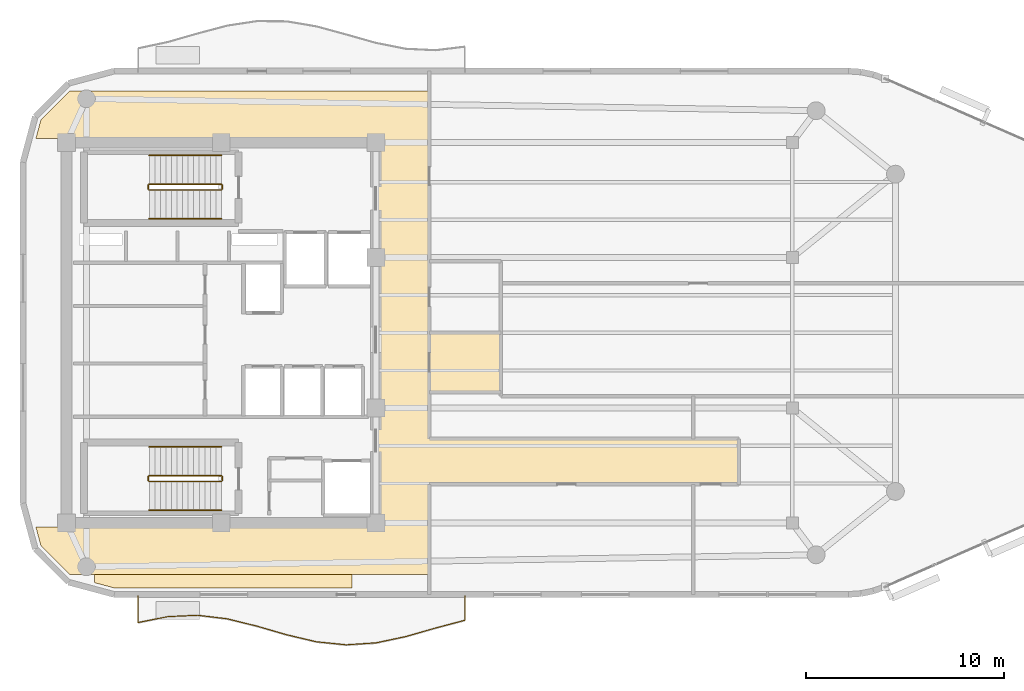
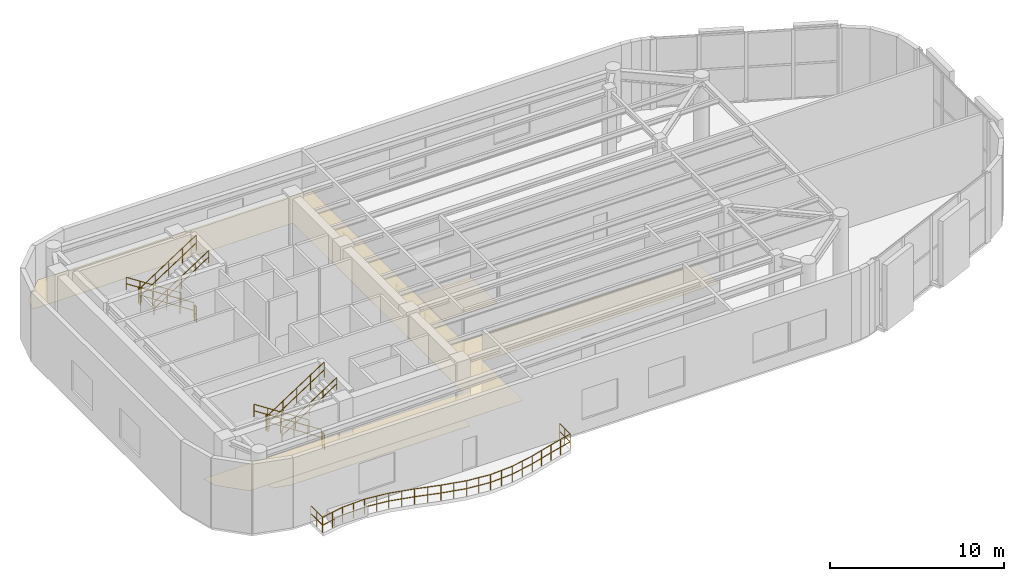
# One storey, part 11 of 12: 13 railings, 3 coverings.
"""IFC4 building model written with IfcOpenShell, lengths in metres."""

import ifcopenshell
import ifcopenshell.guid

model = None  # the IFC model being written
_history = None  # IfcOwnerHistory: only IFC2X3 demands one
_inside = {}  # id of a spatial element -> (the spatial element, [elements in it])
_under = {}  # id of a project, library or spatial element -> (it, [spatial elements below it])
_declared = {}  # id of a project -> (the project, [libraries it declares])
_typed = {}  # id of a type object -> (the type object, [elements of that type])
_made_of = {}  # id of a material, layer set ... -> (it, [elements and type objects made of it])


def new_model(schema):
    """Start an empty IFC model of exactly this schema.

    Asked for "IFC4X3", IfcOpenShell would pick the latest addendum, in which some entities
    have other attributes; the version numbers below select the first issue.
    IFC2X3 requires an IfcOwnerHistory on every rooted entity: one is made here for all.
    """
    global model, _history
    if schema == "IFC4X3":
        model = ifcopenshell.file(schema_version=(4, 3, 0, 0))
    else:
        model = ifcopenshell.file(schema=schema)
    _inside.clear()
    _under.clear()
    _declared.clear()
    _typed.clear()
    _made_of.clear()
    _history = None
    if model.schema == "IFC2X3":
        org = make("IfcOrganization", Name="unknown")
        user = make(
            "IfcPersonAndOrganization",
            ThePerson=make("IfcPerson", FamilyName="unknown"),
            TheOrganization=org,
        )
        app = make(
            "IfcApplication",
            ApplicationDeveloper=org,
            Version="unknown",
            ApplicationFullName="unknown",
            ApplicationIdentifier="unknown",
        )
        _history = make(
            "IfcOwnerHistory",
            OwningUser=user,
            OwningApplication=app,
            ChangeAction="ADDED",
            CreationDate=0,
        )
    return model


def make(cls, **values):
    """One entity of the class cls with the attributes given. An attribute that is None is left unset."""
    return model.create_entity(
        cls, **{name: value for name, value in values.items() if value is not None}
    )


def rooted(cls, **values):
    """An entity with a GlobalId (a new one), such as an element, a storey or a relation."""
    return make(cls, GlobalId=ifcopenshell.guid.new(), OwnerHistory=_history, **values)


def si_unit(unit_type, name, prefix=None):
    """IfcSIUnit, for example si_unit("LENGTHUNIT", "METRE", prefix="MILLI")."""
    return make("IfcSIUnit", UnitType=unit_type, Prefix=prefix, Name=name)


def assignment(units):
    """IfcUnitAssignment: the units of a project."""
    return None if units is None else make("IfcUnitAssignment", Units=units)


def point(xyz):
    """IfcCartesianPoint."""
    return None if xyz is None else make("IfcCartesianPoint", Coordinates=xyz)


def direction(xyz):
    """IfcDirection."""
    return None if xyz is None else make("IfcDirection", DirectionRatios=xyz)


def frame(location, z_axis=None, x_axis=None):
    """IfcAxis2Placement3D, a coordinate frame: its origin and axes. An axis left out is left unset."""
    return make(
        "IfcAxis2Placement3D",
        Location=point(location),
        Axis=direction(z_axis),
        RefDirection=direction(x_axis),
    )


def frame_2d(location, x_axis=None):
    """IfcAxis2Placement2D, a coordinate frame in the plane: its origin and x axis."""
    return make(
        "IfcAxis2Placement2D", Location=point(location), RefDirection=direction(x_axis)
    )


def origin():
    """The frame at (0, 0, 0) with its axes left unset."""
    return frame((0.0, 0.0, 0.0))


def origin_2d():
    """The frame at (0, 0) in the plane with its x axis left unset."""
    return frame_2d((0.0, 0.0))


def place(relative_to, where):
    """IfcLocalPlacement: puts the frame where relative to a parent placement (None: the world)."""
    return make(
        "IfcLocalPlacement", PlacementRelTo=relative_to, RelativePlacement=where
    )


def context(
    kind, dimensions, precision=None, world=None, true_north=None, identifier=None
):
    """IfcGeometricRepresentationContext, for example the 3D "Model" context."""
    return make(
        "IfcGeometricRepresentationContext",
        ContextIdentifier=identifier,
        ContextType=kind,
        CoordinateSpaceDimension=dimensions,
        Precision=precision,
        WorldCoordinateSystem=world,
        TrueNorth=true_north,
    )


def subcontext(parent, identifier, kind, view, scale=None):
    """IfcGeometricRepresentationSubContext, for example "Body" below "Model"."""
    return make(
        "IfcGeometricRepresentationSubContext",
        ContextIdentifier=identifier,
        ContextType=kind,
        ParentContext=parent,
        TargetScale=scale,
        TargetView=view,
    )


def project(units=None, contexts=None):
    """IfcProject with its units and contexts."""
    return rooted(
        "IfcProject",
        Name="project",
        RepresentationContexts=contexts,
        UnitsInContext=assignment(units),
    )


def spatial(cls, under=None, at=None, **own):
    """A site, building, storey or space (cls), placed at a placement, below another one or the project."""
    s = rooted(cls, ObjectPlacement=at, **own)
    if under is not None:
        _under.setdefault(under.id(), (under, []))[1].append(s)
    return s


def polyline(points):
    """IfcPolyline through the points."""
    return make("IfcPolyline", Points=[point(p) for p in points])


def profile(cls, at=None, kind="AREA", **sizes):
    """A parametric profile (cls). Its sizes go by their IFC names, for example OverallWidth=200.0."""
    return make(cls, ProfileType=kind, Position=at, **sizes)


def circle(**sizes):
    """IfcCircleProfileDef."""
    return profile("IfcCircleProfileDef", **sizes)


def outline(outer, holes=None, kind="AREA"):
    """IfcArbitraryClosedProfileDef: a profile drawn as a closed curve; with holes, ...WithVoids."""
    if holes is None:
        return make("IfcArbitraryClosedProfileDef", ProfileType=kind, OuterCurve=outer)
    return make(
        "IfcArbitraryProfileDefWithVoids",
        ProfileType=kind,
        OuterCurve=outer,
        InnerCurves=holes,
    )


def extrude(swept, where, along, depth):
    """IfcExtrudedAreaSolid: the profile swept, set in the frame where, extruded along a direction by depth."""
    return make(
        "IfcExtrudedAreaSolid",
        SweptArea=swept,
        Position=where,
        ExtrudedDirection=direction(along),
        Depth=depth,
    )


def shape(context_of_items, identifier, shape_type, items):
    """IfcShapeRepresentation: the items that make up one representation, for example the "Body"."""
    return make(
        "IfcShapeRepresentation",
        ContextOfItems=context_of_items,
        RepresentationIdentifier=identifier,
        RepresentationType=shape_type,
        Items=items,
    )


def material(Name=None, Category=None):
    """IfcMaterial."""
    return make("IfcMaterial", Name=Name, Category=Category)


def layer(
    of_material, thickness, ventilated=None, Name=None, Category=None, Priority=None
):
    """IfcMaterialLayer: one layer of a wall or slab, of a material (None: an air gap)."""
    return make(
        "IfcMaterialLayer",
        Material=of_material,
        LayerThickness=thickness,
        IsVentilated=ventilated,
        Name=Name,
        Category=Category,
        Priority=Priority,
    )


def layer_set(layers, Name=None):
    """IfcMaterialLayerSet."""
    return make("IfcMaterialLayerSet", MaterialLayers=layers, LayerSetName=Name)


def made_of(thing, what):
    """Note that an element or type object is made of a material, layer set ...; save() writes the relation."""
    if what is not None:
        _made_of.setdefault(what.id(), (what, []))[1].append(thing)
    return thing


def type_object(cls, material=None, **own):
    """A type object (cls), such as IfcWallType, which elements share."""
    return made_of(rooted(cls, **own), material)


def element(
    cls,
    number,
    at=None,
    inside=None,
    cuts=None,
    type_object=None,
    material=None,
    context=None,
    identifier="Body",
    shape_type=None,
    held_by="IfcProductDefinitionShape",
    body=None,
    shapes=None,
    **own,
):
    """One element of the class cls, such as IfcWall. Its Tag is "e" and its number.

    at: its placement. inside: the storey or other place that contains it. cuts: it is an
    opening in that element (IfcRelVoidsElement). A single representation is given by context,
    identifier, shape_type and body (its items); several are given by shapes. held_by: the class
    of the entity that holds the representations. save() writes the other relations.
    """
    e = rooted(cls, Tag="e%d" % number, ObjectPlacement=at, **own)
    if body is not None:
        shapes = [shape(context, identifier, shape_type, body)]
    if shapes is not None:
        e.Representation = make(held_by, Representations=shapes)
    if inside is not None:
        _inside.setdefault(inside.id(), (inside, []))[1].append(e)
    if cuts is not None:
        rooted(
            "IfcRelVoidsElement", RelatingBuildingElement=cuts, RelatedOpeningElement=e
        )
    if type_object is not None:
        _typed.setdefault(type_object.id(), (type_object, []))[1].append(e)
    return made_of(e, material)


def aggregate(whole, parts):
    """IfcRelAggregates: a whole, such as a stair, and the parts it consists of."""
    return rooted("IfcRelAggregates", RelatingObject=whole, RelatedObjects=parts)


def save(model, path):
    """Write the relations noted so far, then the file.

    IfcRelAggregates (storeys below a building ...), IfcRelContainedInSpatialStructure (elements
    in a storey), IfcRelDefinesByType, IfcRelAssociatesMaterial and IfcRelDeclares: one each for
    every whole, place, type object, material and project.
    """
    for whole, parts in _under.values():
        aggregate(whole, parts)
    for where, things in _inside.values():
        rooted(
            "IfcRelContainedInSpatialStructure",
            RelatedElements=things,
            RelatingStructure=where,
        )
    for kind, things in _typed.values():
        rooted("IfcRelDefinesByType", RelatedObjects=things, RelatingType=kind)
    for what, things in _made_of.values():
        rooted("IfcRelAssociatesMaterial", RelatedObjects=things, RelatingMaterial=what)
    for by, libraries in _declared.values():
        rooted("IfcRelDeclares", RelatingContext=by, RelatedDefinitions=libraries)
    model.write(path)


model = new_model("IFC4")

# Units and contexts
model_context = context("Model", 3, precision=1e-05, world=origin(), true_north=direction((0.0, 1.0)))
body_context = subcontext(model_context, "Body", "Model", "MODEL_VIEW")
ifc_project = project(units=[si_unit("LENGTHUNIT", "METRE"), si_unit("AREAUNIT", "SQUARE_METRE"), si_unit("VOLUMEUNIT", "CUBIC_METRE"), si_unit("PLANEANGLEUNIT", "RADIAN"), si_unit("MASSUNIT", "GRAM", prefix="KILO")], contexts=[model_context])

# Site, building, storey
site_placement = place(None, origin())
site = spatial("IfcSite", under=ifc_project, at=site_placement, CompositionType="ELEMENT")
building_placement = place(site_placement, origin())
building = spatial("IfcBuilding", under=site, at=building_placement, Name="An Khanh Terracotta Commons", CompositionType="ELEMENT")
storey_placement = place(building_placement, frame((0.0, 0.0, 253.699951171875)))
storey = spatial("IfcBuildingStorey", under=building, at=storey_placement, Name="L66", CompositionType="ELEMENT", Elevation=253.699951171875)

# Coverings
ifc_material_1 = material(Name="Perforated Mineral-Fibre Acoustic Tile")
ifc_layer = layer(ifc_material_1, 0.02001953125, Name="Perforated Mineral-Fibre Acoustic Tile")
ifc_layer_set = layer_set([ifc_layer], Name="Perforated Mineral-Fibre Acoustic Tile")
covering_type = type_object("IfcCoveringType", Name="CEIL-ACOUSTIC-18", PredefinedType="CEILING", material=ifc_layer_set)
covering_1_placement = place(storey_placement, frame((0.0, 0.0, 2.650146484375)))
element("IfcCovering", 1, at=covering_1_placement, inside=storey, type_object=covering_type, Name="L66 Sky Lobby Ceiling", PredefinedType="CEILING", context=body_context, shape_type="SweptSolid", body=[
    extrude(outline(polyline([(37.300048828125, 14.199951171875), (37.300048828125, 14.280029296875), (37.320068359375, 14.280029296875), (37.320068359375, 33.719970703125), (37.300048828125, 33.719970703125), (37.300048828125, 33.800048828125), (20.052978515625, 33.800048828125), (20.302978515625, 34.73388671875), (21.76904296875, 36.199951171875), (39.89990234375, 36.199951171875), (39.89990234375, 35.800048828125), (39.89990234375, 33.800048828125), (39.89990234375, 18.64990234375), (55.5, 18.64990234375), (55.5, 16.35009765625), (39.89990234375, 16.35009765625), (39.89990234375, 14.199951171875), (39.89990234375, 12.199951171875), (39.89990234375, 11.800048828125), (21.76904296875, 11.800048828125), (20.302978515625, 13.26611328125), (20.052978515625, 14.199951171875), (37.300048828125, 14.199951171875)])), origin(), (0.0, 0.0, 1.0), 0.02001953125),
])
covering_2_placement = place(storey_placement, frame((0.0, 0.0, 2.650146484375)))
element("IfcCovering", 2, at=covering_2_placement, inside=storey, type_object=covering_type, Name="L66 Sky Lobby Accessible WC Ceiling", PredefinedType="CEILING", context=body_context, shape_type="SweptSolid", body=[
    extrude(outline(polyline([(39.89990234375, 24.0), (43.5, 24.0), (43.5, 21.0), (39.89990234375, 21.0), (39.89990234375, 24.0)])), origin(), (0.0, 0.0, 1.0), 0.02001953125),
])
covering_3_placement = place(storey_placement, frame((0.0, 0.0, 2.650146484375)))
element("IfcCovering", 3, at=covering_3_placement, inside=storey, type_object=covering_type, Name="L66 Sky Lobby Pantry Store Ceiling", PredefinedType="CEILING", context=body_context, shape_type="SweptSolid", body=[
    extrude(outline(polyline([(24.0419921875, 11.1201171875), (23.0, 11.39892578125), (23.0, 11.800048828125), (36.0, 11.800048828125), (36.0, 11.1201171875), (24.0419921875, 11.1201171875)])), origin(), (0.0, 0.0, 1.0), 0.02001953125),
])

# Railings
ifc_material_2 = material(Name="Brushed Stainless Steel 316", Category="steel")
railing_type_1 = type_object("IfcRailingType", Name="RAIL-BALUSTRADE-1100", PredefinedType="BALUSTRADE", material=ifc_material_2)
railing_1_placement = place(storey_placement, frame((25.199951171875, 10.739990234375, 0.0)))
element("IfcRailing", 4, at=railing_1_placement, inside=storey, type_object=railing_type_1, Name="L66 S Wave Balcony Guard Balustrade", PredefinedType="BALUSTRADE", context=body_context, shape_type="SweptSolid", body=[
    extrude(circle(Radius=0.02392578125, at=origin_2d()), frame((0.0, 0.0, 1.076171875), z_axis=(0.0, -1.0, 0.0), x_axis=(1.0, 0.0, 0.0)), (0.0, 0.0, 1.0), 1.35498046875),
    extrude(circle(Radius=0.02392578125, at=origin_2d()), frame((0.0, 0.0, 0.52587890625), z_axis=(0.0, -1.0, 0.0), x_axis=(1.0, 0.0, 0.0)), (0.0, 0.0, 1.0), 1.35498046875),
    extrude(circle(Radius=0.02392578125, at=origin_2d()), frame((0.0, -1.35498046875, 1.076171875), z_axis=(0.980819402607, 0.194918699639, 0.0), x_axis=(-0.194918699639, 0.980819402607, 0.0)), (0.0, 0.0, 1.0), 1.529296875),
    extrude(circle(Radius=0.02392578125, at=origin_2d()), frame((0.0, -1.35498046875, 0.52587890625), z_axis=(0.980819402607, 0.194918699639, 0.0), x_axis=(-0.194918699639, 0.980819402607, 0.0)), (0.0, 0.0, 1.0), 1.529296875),
    extrude(circle(Radius=0.02392578125, at=origin_2d()), frame((1.5, -1.056884765625, 1.076171875), z_axis=(0.998887913276, 0.047148029761, 0.0), x_axis=(-0.047148029761, 0.998887913276, 0.0)), (0.0, 0.0, 1.0), 1.501708984375),
    extrude(circle(Radius=0.02392578125, at=origin_2d()), frame((1.5, -1.056884765625, 0.52587890625), z_axis=(0.998887913276, 0.047148029761, 0.0), x_axis=(-0.047148029761, 0.998887913276, 0.0)), (0.0, 0.0, 1.0), 1.501708984375),
    extrude(circle(Radius=0.02392578125, at=origin_2d()), frame((3.0, -0.986083984375, 1.076171875), z_axis=(0.99288219023, -0.11910061429, 0.0), x_axis=(0.11910061429, 0.99288219023, 0.0)), (0.0, 0.0, 1.0), 1.5107421875),
    extrude(circle(Radius=0.02392578125, at=origin_2d()), frame((3.0, -0.986083984375, 0.52587890625), z_axis=(0.99288219023, -0.11910061429, 0.0), x_axis=(0.11910061429, 0.99288219023, 0.0)), (0.0, 0.0, 1.0), 1.5107421875),
    extrude(circle(Radius=0.02392578125, at=origin_2d()), frame((4.5, -1.166015625, 1.076171875), z_axis=(0.970918311966, -0.239411009542, 0.0), x_axis=(0.239411009542, 0.970918311966, 0.0)), (0.0, 0.0, 1.0), 1.544921875),
    extrude(circle(Radius=0.02392578125, at=origin_2d()), frame((4.5, -1.166015625, 0.52587890625), z_axis=(0.970918311966, -0.239411009542, 0.0), x_axis=(0.239411009542, 0.970918311966, 0.0)), (0.0, 0.0, 1.0), 1.544921875),
    extrude(circle(Radius=0.02392578125, at=origin_2d()), frame((6.0, -1.535888671875, 1.076171875), z_axis=(0.960419102414, -0.278559056071, 0.0), x_axis=(0.278559056071, 0.960419102414, 0.0)), (0.0, 0.0, 1.0), 1.561767578125),
    extrude(circle(Radius=0.02392578125, at=origin_2d()), frame((6.0, -1.535888671875, 0.52587890625), z_axis=(0.960419102414, -0.278559056071, 0.0), x_axis=(0.278559056071, 0.960419102414, 0.0)), (0.0, 0.0, 1.0), 1.561767578125),
    extrude(circle(Radius=0.02392578125, at=origin_2d()), frame((7.5, -1.970947265625, 1.076171875), z_axis=(0.973263214687, -0.229692653206, 0.0), x_axis=(0.229692653206, 0.973263214687, 0.0)), (0.0, 0.0, 1.0), 1.541259765625),
    extrude(circle(Radius=0.02392578125, at=origin_2d()), frame((7.5, -1.970947265625, 0.52587890625), z_axis=(0.973263214687, -0.229692653206, 0.0), x_axis=(0.229692653206, 0.973263214687, 0.0)), (0.0, 0.0, 1.0), 1.541259765625),
    extrude(circle(Radius=0.02392578125, at=origin_2d()), frame((9.0, -2.324951171875, 1.076171875), z_axis=(0.994833141332, -0.101523499286, 0.0), x_axis=(0.101523499286, 0.994833141332, 0.0)), (0.0, 0.0, 1.0), 1.5078125),
    extrude(circle(Radius=0.02392578125, at=origin_2d()), frame((9.0, -2.324951171875, 0.52587890625), z_axis=(0.994833141332, -0.101523499286, 0.0), x_axis=(0.101523499286, 0.994833141332, 0.0)), (0.0, 0.0, 1.0), 1.5078125),
    extrude(circle(Radius=0.02392578125, at=origin_2d()), frame((10.5, -2.47802734375, 1.076171875), z_axis=(0.997866326321, 0.065290081898, 0.0), x_axis=(-0.065290081898, 0.997866326321, 0.0)), (0.0, 0.0, 1.0), 1.503173828125),
    extrude(circle(Radius=0.02392578125, at=origin_2d()), frame((10.5, -2.47802734375, 0.52587890625), z_axis=(0.997866326321, 0.065290081898, 0.0), x_axis=(-0.065290081898, 0.997866326321, 0.0)), (0.0, 0.0, 1.0), 1.503173828125),
    extrude(circle(Radius=0.02392578125, at=origin_2d()), frame((12.0, -2.3798828125, 1.076171875), z_axis=(0.978275241205, 0.207310280607, 0.0), x_axis=(-0.207310280607, 0.978275241205, 0.0)), (0.0, 0.0, 1.0), 1.533203125),
    extrude(circle(Radius=0.02392578125, at=origin_2d()), frame((12.0, -2.3798828125, 0.52587890625), z_axis=(0.978275241205, 0.207310280607, 0.0), x_axis=(-0.207310280607, 0.978275241205, 0.0)), (0.0, 0.0, 1.0), 1.533203125),
    extrude(circle(Radius=0.02392578125, at=origin_2d()), frame((13.5, -2.06201171875, 1.076171875), z_axis=(0.961293347262, 0.275526950607, 0.0), x_axis=(-0.275526950607, 0.961293347262, 0.0)), (0.0, 0.0, 1.0), 1.560302734375),
    extrude(circle(Radius=0.02392578125, at=origin_2d()), frame((13.5, -2.06201171875, 0.52587890625), z_axis=(0.961293347262, 0.275526950607, 0.0), x_axis=(-0.275526950607, 0.961293347262, 0.0)), (0.0, 0.0, 1.0), 1.560302734375),
    extrude(circle(Radius=0.02392578125, at=origin_2d()), frame((15.0, -1.632080078125, 1.076171875), z_axis=(0.966718963822, 0.255840663277, 0.0), x_axis=(-0.255840663277, 0.966718963822, 0.0)), (0.0, 0.0, 1.0), 1.5517578125),
    extrude(circle(Radius=0.02392578125, at=origin_2d()), frame((15.0, -1.632080078125, 0.52587890625), z_axis=(0.966718963822, 0.255840663277, 0.0), x_axis=(-0.255840663277, 0.966718963822, 0.0)), (0.0, 0.0, 1.0), 1.5517578125),
    extrude(circle(Radius=0.02392578125, at=origin_2d()), frame((16.5, -1.235107421875, 1.076171875), z_axis=(0.0, 1.0, 0.0), x_axis=(-1.0, 0.0, 0.0)), (0.0, 0.0, 1.0), 1.235107421875),
    extrude(circle(Radius=0.02392578125, at=origin_2d()), frame((16.5, -1.235107421875, 0.52587890625), z_axis=(0.0, 1.0, 0.0), x_axis=(-1.0, 0.0, 0.0)), (0.0, 0.0, 1.0), 1.235107421875),
    extrude(circle(Radius=0.02099609375, at=origin_2d()), origin(), (0.0, 0.0, 1.0), 1.052001953125),
    extrude(circle(Radius=0.02099609375, at=origin_2d()), frame((0.0, -0.677490234375, 0.0)), (0.0, 0.0, 1.0), 1.052001953125),
    extrude(circle(Radius=0.02099609375, at=origin_2d()), frame((0.0, -1.35498046875, 0.0)), (0.0, 0.0, 1.0), 1.052001953125),
    extrude(circle(Radius=0.02099609375, at=origin_2d()), frame((0.75, -1.2060546875, 0.0)), (0.0, 0.0, 1.0), 1.052001953125),
    extrude(circle(Radius=0.02099609375, at=origin_2d()), frame((1.5, -1.056884765625, 0.0)), (0.0, 0.0, 1.0), 1.052001953125),
    extrude(circle(Radius=0.02099609375, at=origin_2d()), frame((2.25, -1.021484375, 0.0)), (0.0, 0.0, 1.0), 1.052001953125),
    extrude(circle(Radius=0.02099609375, at=origin_2d()), frame((3.0, -0.986083984375, 0.0)), (0.0, 0.0, 1.0), 1.052001953125),
    extrude(circle(Radius=0.02099609375, at=origin_2d()), frame((3.75, -1.076171875, 0.0)), (0.0, 0.0, 1.0), 1.052001953125),
    extrude(circle(Radius=0.02099609375, at=origin_2d()), frame((4.5, -1.166015625, 0.0)), (0.0, 0.0, 1.0), 1.052001953125),
    extrude(circle(Radius=0.02099609375, at=origin_2d()), frame((5.25, -1.35107421875, 0.0)), (0.0, 0.0, 1.0), 1.052001953125),
    extrude(circle(Radius=0.02099609375, at=origin_2d()), frame((6.0, -1.535888671875, 0.0)), (0.0, 0.0, 1.0), 1.052001953125),
    extrude(circle(Radius=0.02099609375, at=origin_2d()), frame((6.75, -1.75341796875, 0.0)), (0.0, 0.0, 1.0), 1.052001953125),
    extrude(circle(Radius=0.02099609375, at=origin_2d()), frame((7.5, -1.970947265625, 0.0)), (0.0, 0.0, 1.0), 1.052001953125),
    extrude(circle(Radius=0.02099609375, at=origin_2d()), frame((8.25, -2.14794921875, 0.0)), (0.0, 0.0, 1.0), 1.052001953125),
    extrude(circle(Radius=0.02099609375, at=origin_2d()), frame((9.0, -2.324951171875, 0.0)), (0.0, 0.0, 1.0), 1.052001953125),
    extrude(circle(Radius=0.02099609375, at=origin_2d()), frame((9.75, -2.4013671875, 0.0)), (0.0, 0.0, 1.0), 1.052001953125),
    extrude(circle(Radius=0.02099609375, at=origin_2d()), frame((10.5, -2.47802734375, 0.0)), (0.0, 0.0, 1.0), 1.052001953125),
    extrude(circle(Radius=0.02099609375, at=origin_2d()), frame((11.25, -2.428955078125, 0.0)), (0.0, 0.0, 1.0), 1.052001953125),
    extrude(circle(Radius=0.02099609375, at=origin_2d()), frame((12.0, -2.3798828125, 0.0)), (0.0, 0.0, 1.0), 1.052001953125),
    extrude(circle(Radius=0.02099609375, at=origin_2d()), frame((12.75, -2.220947265625, 0.0)), (0.0, 0.0, 1.0), 1.052001953125),
    extrude(circle(Radius=0.02099609375, at=origin_2d()), frame((13.5, -2.06201171875, 0.0)), (0.0, 0.0, 1.0), 1.052001953125),
    extrude(circle(Radius=0.02099609375, at=origin_2d()), frame((14.25, -1.84716796875, 0.0)), (0.0, 0.0, 1.0), 1.052001953125),
    extrude(circle(Radius=0.02099609375, at=origin_2d()), frame((15.0, -1.632080078125, 0.0)), (0.0, 0.0, 1.0), 1.052001953125),
    extrude(circle(Radius=0.02099609375, at=origin_2d()), frame((15.75, -1.43359375, 0.0)), (0.0, 0.0, 1.0), 1.052001953125),
    extrude(circle(Radius=0.02099609375, at=origin_2d()), frame((16.5, -1.235107421875, 0.0)), (0.0, 0.0, 1.0), 1.052001953125),
    extrude(circle(Radius=0.02099609375, at=origin_2d()), frame((16.5, -0.61767578125, 0.0)), (0.0, 0.0, 1.0), 1.052001953125),
    extrude(circle(Radius=0.02099609375, at=origin_2d()), frame((16.5, 0.0, 0.0)), (0.0, 0.0, 1.0), 1.052001953125),
])
railing_type_2 = type_object("IfcRailingType", Name="RAIL-HANDRAIL-900", PredefinedType="HANDRAIL", material=ifc_material_2)
railing_2_placement = place(storey_placement, frame((29.409912109375, 32.949951171875, 0.18212890625)))
element("IfcRailing", 5, at=railing_2_placement, inside=storey, type_object=railing_type_2, Name="L66 ST-01 stair handrail 1", PredefinedType="HANDRAIL", context=body_context, shape_type="SweptSolid", body=[
    extrude(circle(Radius=0.02392578125, at=origin_2d()), frame((0.0, 0.0, 0.8759765625), z_axis=(-0.838234174257, 0.0, 0.545310433706), x_axis=(0.0, -1.0, 0.0)), (0.0, 0.0, 1.0), 4.34228515625),
    extrude(circle(Radius=0.02392578125, at=origin_2d()), frame((0.0, 0.0, 0.42578125), z_axis=(-0.838234174257, 0.0, 0.545310433706), x_axis=(0.0, -1.0, 0.0)), (0.0, 0.0, 1.0), 4.34228515625),
    extrude(circle(Radius=0.02099609375, at=origin_2d()), origin(), (0.0, 0.0, 1.0), 0.851806640625),
    extrude(circle(Radius=0.02099609375, at=origin_2d()), frame((-0.909912109375, 0.0, 0.592041015625)), (0.0, 0.0, 1.0), 0.851806640625),
    extrude(circle(Radius=0.02099609375, at=origin_2d()), frame((-1.81982421875, 0.0, 1.18408203125)), (0.0, 0.0, 1.0), 0.851806640625),
    extrude(circle(Radius=0.02099609375, at=origin_2d()), frame((-2.72998046875, 0.0, 1.77587890625)), (0.0, 0.0, 1.0), 0.851806640625),
    extrude(circle(Radius=0.02099609375, at=origin_2d()), frame((-3.639892578125, 0.0, 2.367919921875)), (0.0, 0.0, 1.0), 0.851806640625),
])
railing_3_placement = place(storey_placement, frame((25.77001953125, 29.75, 2.732177734375)))
element("IfcRailing", 6, at=railing_3_placement, inside=storey, type_object=railing_type_2, Name="L66 ST-01 stair handrail 2", PredefinedType="HANDRAIL", context=body_context, shape_type="SweptSolid", body=[
    extrude(circle(Radius=0.02392578125, at=origin_2d()), frame((0.0, 0.0, 0.8759765625), z_axis=(0.838234174257, 0.0, 0.545310433706), x_axis=(0.0, 1.0, 0.0)), (0.0, 0.0, 1.0), 4.34228515625),
    extrude(circle(Radius=0.02392578125, at=origin_2d()), frame((0.0, 0.0, 0.42578125), z_axis=(0.838234174257, 0.0, 0.545310433706), x_axis=(0.0, 1.0, 0.0)), (0.0, 0.0, 1.0), 4.34228515625),
    extrude(circle(Radius=0.02099609375, at=origin_2d()), origin(), (0.0, 0.0, 1.0), 0.851806640625),
    extrude(circle(Radius=0.02099609375, at=origin_2d()), frame((0.909912109375, 0.0, 0.592041015625)), (0.0, 0.0, 1.0), 0.851806640625),
    extrude(circle(Radius=0.02099609375, at=origin_2d()), frame((1.81982421875, 0.0, 1.18408203125)), (0.0, 0.0, 1.0), 0.851806640625),
    extrude(circle(Radius=0.02099609375, at=origin_2d()), frame((2.72998046875, 0.0, 1.77587890625)), (0.0, 0.0, 1.0), 0.851806640625),
    extrude(circle(Radius=0.02099609375, at=origin_2d()), frame((3.639892578125, 0.0, 2.367919921875)), (0.0, 0.0, 1.0), 0.851806640625),
])
railing_4_placement = place(storey_placement, frame((29.409912109375, 18.25, 0.18212890625)))
element("IfcRailing", 7, at=railing_4_placement, inside=storey, type_object=railing_type_2, Name="L66 ST-02 stair handrail 1", PredefinedType="HANDRAIL", context=body_context, shape_type="SweptSolid", body=[
    extrude(circle(Radius=0.02392578125, at=origin_2d()), frame((0.0, 0.0, 0.8759765625), z_axis=(-0.838234174257, 0.0, 0.545310433706), x_axis=(0.0, -1.0, 0.0)), (0.0, 0.0, 1.0), 4.34228515625),
    extrude(circle(Radius=0.02392578125, at=origin_2d()), frame((0.0, 0.0, 0.42578125), z_axis=(-0.838234174257, 0.0, 0.545310433706), x_axis=(0.0, -1.0, 0.0)), (0.0, 0.0, 1.0), 4.34228515625),
    extrude(circle(Radius=0.02099609375, at=origin_2d()), origin(), (0.0, 0.0, 1.0), 0.851806640625),
    extrude(circle(Radius=0.02099609375, at=origin_2d()), frame((-0.909912109375, 0.0, 0.592041015625)), (0.0, 0.0, 1.0), 0.851806640625),
    extrude(circle(Radius=0.02099609375, at=origin_2d()), frame((-1.81982421875, 0.0, 1.18408203125)), (0.0, 0.0, 1.0), 0.851806640625),
    extrude(circle(Radius=0.02099609375, at=origin_2d()), frame((-2.72998046875, 0.0, 1.77587890625)), (0.0, 0.0, 1.0), 0.851806640625),
    extrude(circle(Radius=0.02099609375, at=origin_2d()), frame((-3.639892578125, 0.0, 2.367919921875)), (0.0, 0.0, 1.0), 0.851806640625),
])
railing_5_placement = place(storey_placement, frame((25.77001953125, 15.050048828125, 2.732177734375)))
element("IfcRailing", 8, at=railing_5_placement, inside=storey, type_object=railing_type_2, Name="L66 ST-02 stair handrail 2", PredefinedType="HANDRAIL", context=body_context, shape_type="SweptSolid", body=[
    extrude(circle(Radius=0.02392578125, at=origin_2d()), frame((0.0, 0.0, 0.8759765625), z_axis=(0.838234174257, 0.0, 0.545310433706), x_axis=(0.0, 1.0, 0.0)), (0.0, 0.0, 1.0), 4.34228515625),
    extrude(circle(Radius=0.02392578125, at=origin_2d()), frame((0.0, 0.0, 0.42578125), z_axis=(0.838234174257, 0.0, 0.545310433706), x_axis=(0.0, 1.0, 0.0)), (0.0, 0.0, 1.0), 4.34228515625),
    extrude(circle(Radius=0.02099609375, at=origin_2d()), origin(), (0.0, 0.0, 1.0), 0.851806640625),
    extrude(circle(Radius=0.02099609375, at=origin_2d()), frame((0.909912109375, 0.0, 0.592041015625)), (0.0, 0.0, 1.0), 0.851806640625),
    extrude(circle(Radius=0.02099609375, at=origin_2d()), frame((1.81982421875, 0.0, 1.18408203125)), (0.0, 0.0, 1.0), 0.851806640625),
    extrude(circle(Radius=0.02099609375, at=origin_2d()), frame((2.72998046875, 0.0, 1.77587890625)), (0.0, 0.0, 1.0), 0.851806640625),
    extrude(circle(Radius=0.02099609375, at=origin_2d()), frame((3.639892578125, 0.0, 2.367919921875)), (0.0, 0.0, 1.0), 0.851806640625),
])
ifc_material_3 = material(Name="Powder-Coated Steel S355J2", Category="steel")
railing_type_3 = type_object("IfcRailingType", Name="RAIL-STAIR-GUARD-1100", PredefinedType="BALUSTRADE", material=ifc_material_3)
railing_6_placement = place(storey_placement, frame((29.409912109375, 31.5, 0.18212890625)))
element("IfcRailing", 9, at=railing_6_placement, inside=storey, type_object=railing_type_3, Name="L66 ST-01 stair guard 1", PredefinedType="BALUSTRADE", context=body_context, shape_type="SweptSolid", body=[
    extrude(circle(Radius=0.02392578125, at=origin_2d()), frame((0.0, 0.0, 1.076171875), z_axis=(-0.838234174257, 0.0, 0.545310433706), x_axis=(0.0, -1.0, 0.0)), (0.0, 0.0, 1.0), 4.34228515625),
    extrude(circle(Radius=0.02392578125, at=origin_2d()), frame((0.0, 0.0, 0.52587890625), z_axis=(-0.838234174257, 0.0, 0.545310433706), x_axis=(0.0, -1.0, 0.0)), (0.0, 0.0, 1.0), 4.34228515625),
    extrude(circle(Radius=0.02099609375, at=origin_2d()), origin(), (0.0, 0.0, 1.0), 1.052001953125),
    extrude(circle(Radius=0.02099609375, at=origin_2d()), frame((-0.909912109375, 0.0, 0.592041015625)), (0.0, 0.0, 1.0), 1.052001953125),
    extrude(circle(Radius=0.02099609375, at=origin_2d()), frame((-1.81982421875, 0.0, 1.18408203125)), (0.0, 0.0, 1.0), 1.052001953125),
    extrude(circle(Radius=0.02099609375, at=origin_2d()), frame((-2.72998046875, 0.0, 1.77587890625)), (0.0, 0.0, 1.0), 1.052001953125),
    extrude(circle(Radius=0.02099609375, at=origin_2d()), frame((-3.639892578125, 0.0, 2.367919921875)), (0.0, 0.0, 1.0), 1.052001953125),
])
railing_7_placement = place(storey_placement, frame((25.719970703125, 31.449951171875, 2.550048828125)))
element("IfcRailing", 10, at=railing_7_placement, inside=storey, type_object=railing_type_3, Name="L66 ST-01 stair guard 2", PredefinedType="BALUSTRADE", context=body_context, shape_type="SweptSolid", body=[
    extrude(circle(Radius=0.02392578125, at=origin_2d()), frame((0.0, 0.0, 1.076171875), z_axis=(0.0, -1.0, 0.0), x_axis=(1.0, 0.0, 0.0)), (0.0, 0.0, 1.0), 0.199951171875),
    extrude(circle(Radius=0.02392578125, at=origin_2d()), frame((0.0, 0.0, 0.52587890625), z_axis=(0.0, -1.0, 0.0), x_axis=(1.0, 0.0, 0.0)), (0.0, 0.0, 1.0), 0.199951171875),
    extrude(circle(Radius=0.02099609375, at=origin_2d()), origin(), (0.0, 0.0, 1.0), 1.052001953125),
    extrude(circle(Radius=0.02099609375, at=origin_2d()), frame((0.0, -0.199951171875, 0.0)), (0.0, 0.0, 1.0), 1.052001953125),
])
railing_8_placement = place(storey_placement, frame((25.77001953125, 31.199951171875, 2.732177734375)))
element("IfcRailing", 11, at=railing_8_placement, inside=storey, type_object=railing_type_3, Name="L66 ST-01 stair guard 3", PredefinedType="BALUSTRADE", context=body_context, shape_type="SweptSolid", body=[
    extrude(circle(Radius=0.02392578125, at=origin_2d()), frame((0.0, 0.0, 1.076171875), z_axis=(0.838234174257, 0.0, 0.545310433706), x_axis=(0.0, 1.0, 0.0)), (0.0, 0.0, 1.0), 4.34228515625),
    extrude(circle(Radius=0.02392578125, at=origin_2d()), frame((0.0, 0.0, 0.52587890625), z_axis=(0.838234174257, 0.0, 0.545310433706), x_axis=(0.0, 1.0, 0.0)), (0.0, 0.0, 1.0), 4.34228515625),
    extrude(circle(Radius=0.02099609375, at=origin_2d()), origin(), (0.0, 0.0, 1.0), 1.052001953125),
    extrude(circle(Radius=0.02099609375, at=origin_2d()), frame((0.909912109375, 0.0, 0.592041015625)), (0.0, 0.0, 1.0), 1.052001953125),
    extrude(circle(Radius=0.02099609375, at=origin_2d()), frame((1.81982421875, 0.0, 1.18408203125)), (0.0, 0.0, 1.0), 1.052001953125),
    extrude(circle(Radius=0.02099609375, at=origin_2d()), frame((2.72998046875, 0.0, 1.77587890625)), (0.0, 0.0, 1.0), 1.052001953125),
    extrude(circle(Radius=0.02099609375, at=origin_2d()), frame((3.639892578125, 0.0, 2.367919921875)), (0.0, 0.0, 1.0), 1.052001953125),
])
railing_9_placement = place(storey_placement, frame((29.4599609375, 31.449951171875, 0.0)))
element("IfcRailing", 12, at=railing_9_placement, inside=storey, type_object=railing_type_3, Name="L66 ST-01 stair guard 4", PredefinedType="BALUSTRADE", context=body_context, shape_type="SweptSolid", body=[
    extrude(circle(Radius=0.02392578125, at=origin_2d()), frame((0.0, 0.0, 1.076171875), z_axis=(0.0, -1.0, 0.0), x_axis=(1.0, 0.0, 0.0)), (0.0, 0.0, 1.0), 0.199951171875),
    extrude(circle(Radius=0.02392578125, at=origin_2d()), frame((0.0, 0.0, 0.52587890625), z_axis=(0.0, -1.0, 0.0), x_axis=(1.0, 0.0, 0.0)), (0.0, 0.0, 1.0), 0.199951171875),
    extrude(circle(Radius=0.02099609375, at=origin_2d()), origin(), (0.0, 0.0, 1.0), 1.052001953125),
    extrude(circle(Radius=0.02099609375, at=origin_2d()), frame((0.0, -0.199951171875, 0.0)), (0.0, 0.0, 1.0), 1.052001953125),
])
railing_10_placement = place(storey_placement, frame((29.409912109375, 16.800048828125, 0.18212890625)))
element("IfcRailing", 13, at=railing_10_placement, inside=storey, type_object=railing_type_3, Name="L66 ST-02 stair guard 1", PredefinedType="BALUSTRADE", context=body_context, shape_type="SweptSolid", body=[
    extrude(circle(Radius=0.02392578125, at=origin_2d()), frame((0.0, 0.0, 1.076171875), z_axis=(-0.838234174257, 0.0, 0.545310433706), x_axis=(0.0, -1.0, 0.0)), (0.0, 0.0, 1.0), 4.34228515625),
    extrude(circle(Radius=0.02392578125, at=origin_2d()), frame((0.0, 0.0, 0.52587890625), z_axis=(-0.838234174257, 0.0, 0.545310433706), x_axis=(0.0, -1.0, 0.0)), (0.0, 0.0, 1.0), 4.34228515625),
    extrude(circle(Radius=0.02099609375, at=origin_2d()), origin(), (0.0, 0.0, 1.0), 1.052001953125),
    extrude(circle(Radius=0.02099609375, at=origin_2d()), frame((-0.909912109375, 0.0, 0.592041015625)), (0.0, 0.0, 1.0), 1.052001953125),
    extrude(circle(Radius=0.02099609375, at=origin_2d()), frame((-1.81982421875, 0.0, 1.18408203125)), (0.0, 0.0, 1.0), 1.052001953125),
    extrude(circle(Radius=0.02099609375, at=origin_2d()), frame((-2.72998046875, 0.0, 1.77587890625)), (0.0, 0.0, 1.0), 1.052001953125),
    extrude(circle(Radius=0.02099609375, at=origin_2d()), frame((-3.639892578125, 0.0, 2.367919921875)), (0.0, 0.0, 1.0), 1.052001953125),
])
railing_11_placement = place(storey_placement, frame((25.719970703125, 16.75, 2.550048828125)))
element("IfcRailing", 14, at=railing_11_placement, inside=storey, type_object=railing_type_3, Name="L66 ST-02 stair guard 2", PredefinedType="BALUSTRADE", context=body_context, shape_type="SweptSolid", body=[
    extrude(circle(Radius=0.02392578125, at=origin_2d()), frame((0.0, 0.0, 1.076171875), z_axis=(0.0, -1.0, 0.0), x_axis=(1.0, 0.0, 0.0)), (0.0, 0.0, 1.0), 0.199951171875),
    extrude(circle(Radius=0.02392578125, at=origin_2d()), frame((0.0, 0.0, 0.52587890625), z_axis=(0.0, -1.0, 0.0), x_axis=(1.0, 0.0, 0.0)), (0.0, 0.0, 1.0), 0.199951171875),
    extrude(circle(Radius=0.02099609375, at=origin_2d()), origin(), (0.0, 0.0, 1.0), 1.052001953125),
    extrude(circle(Radius=0.02099609375, at=origin_2d()), frame((0.0, -0.199951171875, 0.0)), (0.0, 0.0, 1.0), 1.052001953125),
])
railing_12_placement = place(storey_placement, frame((25.77001953125, 16.5, 2.732177734375)))
element("IfcRailing", 15, at=railing_12_placement, inside=storey, type_object=railing_type_3, Name="L66 ST-02 stair guard 3", PredefinedType="BALUSTRADE", context=body_context, shape_type="SweptSolid", body=[
    extrude(circle(Radius=0.02392578125, at=origin_2d()), frame((0.0, 0.0, 1.076171875), z_axis=(0.838234174257, 0.0, 0.545310433706), x_axis=(0.0, 1.0, 0.0)), (0.0, 0.0, 1.0), 4.34228515625),
    extrude(circle(Radius=0.02392578125, at=origin_2d()), frame((0.0, 0.0, 0.52587890625), z_axis=(0.838234174257, 0.0, 0.545310433706), x_axis=(0.0, 1.0, 0.0)), (0.0, 0.0, 1.0), 4.34228515625),
    extrude(circle(Radius=0.02099609375, at=origin_2d()), origin(), (0.0, 0.0, 1.0), 1.052001953125),
    extrude(circle(Radius=0.02099609375, at=origin_2d()), frame((0.909912109375, 0.0, 0.592041015625)), (0.0, 0.0, 1.0), 1.052001953125),
    extrude(circle(Radius=0.02099609375, at=origin_2d()), frame((1.81982421875, 0.0, 1.18408203125)), (0.0, 0.0, 1.0), 1.052001953125),
    extrude(circle(Radius=0.02099609375, at=origin_2d()), frame((2.72998046875, 0.0, 1.77587890625)), (0.0, 0.0, 1.0), 1.052001953125),
    extrude(circle(Radius=0.02099609375, at=origin_2d()), frame((3.639892578125, 0.0, 2.367919921875)), (0.0, 0.0, 1.0), 1.052001953125),
])
railing_13_placement = place(storey_placement, frame((29.4599609375, 16.75, 0.0)))
element("IfcRailing", 16, at=railing_13_placement, inside=storey, type_object=railing_type_3, Name="L66 ST-02 stair guard 4", PredefinedType="BALUSTRADE", context=body_context, shape_type="SweptSolid", body=[
    extrude(circle(Radius=0.02392578125, at=origin_2d()), frame((0.0, 0.0, 1.076171875), z_axis=(0.0, -1.0, 0.0), x_axis=(1.0, 0.0, 0.0)), (0.0, 0.0, 1.0), 0.199951171875),
    extrude(circle(Radius=0.02392578125, at=origin_2d()), frame((0.0, 0.0, 0.52587890625), z_axis=(0.0, -1.0, 0.0), x_axis=(1.0, 0.0, 0.0)), (0.0, 0.0, 1.0), 0.199951171875),
    extrude(circle(Radius=0.02099609375, at=origin_2d()), origin(), (0.0, 0.0, 1.0), 1.052001953125),
    extrude(circle(Radius=0.02099609375, at=origin_2d()), frame((0.0, -0.199951171875, 0.0)), (0.0, 0.0, 1.0), 1.052001953125),
])

save(model, "model.ifc")
